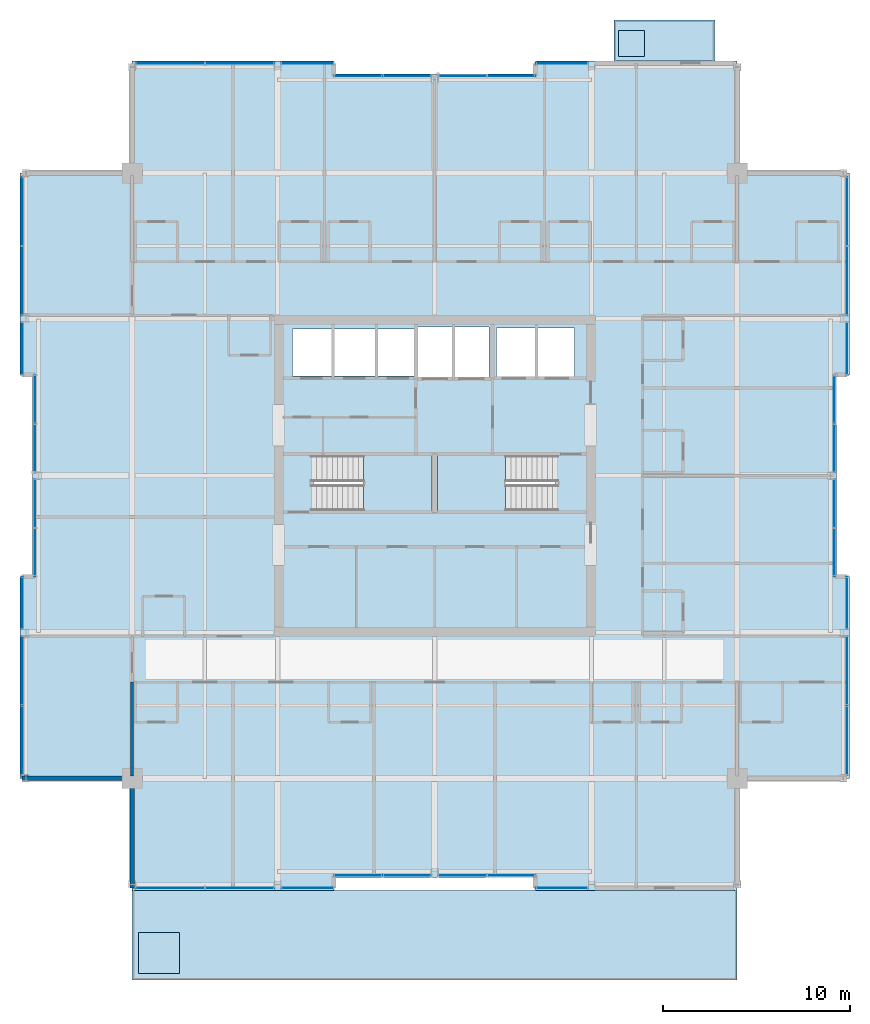
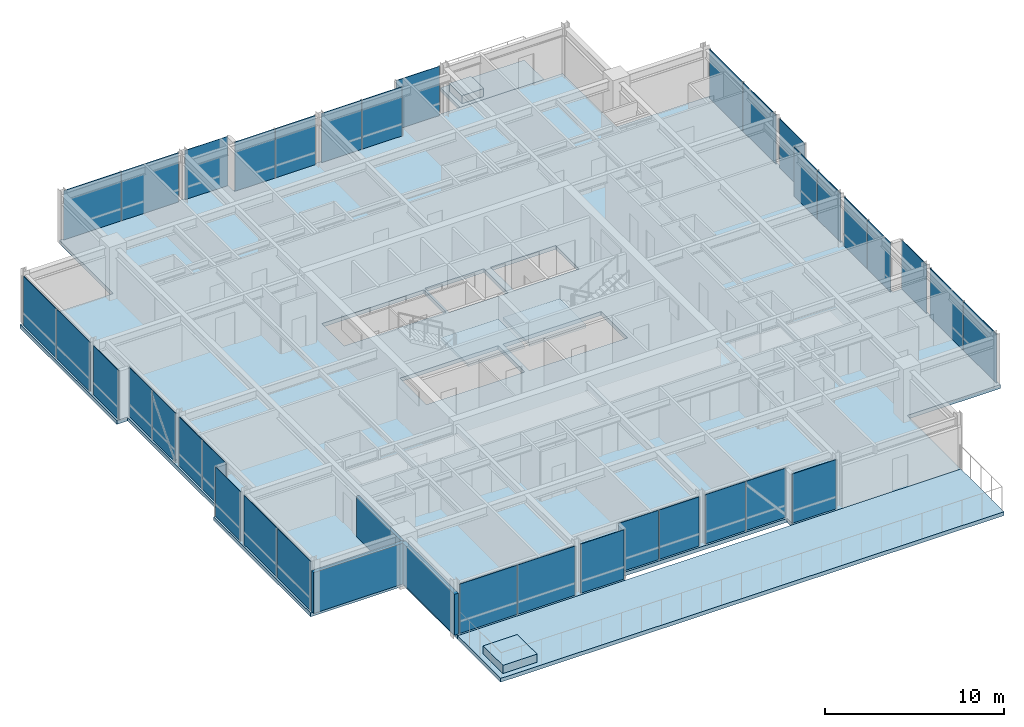
# One storey, part 24 of 32: 36 plates, 7 slabs, 3 walls, 24 elements without a shape of their own.
"""IFC4 building model written with IfcOpenShell, lengths in metres."""

from ifc_helpers import new_model, si_unit, direction, frame, frame_2d, origin, origin_2d, place, context, subcontext, project, spatial, polyline, rectangle, outline, extrude, material, layer, layer_set, type_object, element, aggregate, save


model = new_model("IFC4")

# Units and contexts
model_context = context("Model", 3, precision=1e-05, world=origin(), true_north=direction((0.0, 1.0)))
body_context = subcontext(model_context, "Body", "Model", "MODEL_VIEW")
ifc_project = project(units=[si_unit("LENGTHUNIT", "METRE"), si_unit("AREAUNIT", "SQUARE_METRE"), si_unit("VOLUMEUNIT", "CUBIC_METRE"), si_unit("PLANEANGLEUNIT", "RADIAN"), si_unit("MASSUNIT", "GRAM", prefix="KILO")], contexts=[model_context])

# Site, building, storey
site_placement = place(None, origin())
site = spatial("IfcSite", under=ifc_project, at=site_placement, CompositionType="ELEMENT")
building_placement = place(site_placement, origin())
building = spatial("IfcBuilding", under=site, at=building_placement, Name="Drelvath Grand Hotel", CompositionType="ELEMENT")
storey_placement = place(building_placement, frame((0.0, 0.0, 265.0)))
storey = spatial("IfcBuildingStorey", under=building, at=storey_placement, Name="L69", CompositionType="ELEMENT", Elevation=265.0)

# Slabs
ifc_material_1 = material(Name="Concrete f'c 40 MPa", Category="concrete")
ifc_layer_1 = layer(ifc_material_1, 0.239990234375)
ifc_layer_set_1 = layer_set([ifc_layer_1], Name="Concrete f'c 40 MPa")
slab_type_1 = type_object("IfcSlabType", Name="Cantilevered Tree Balcony Slab 240", PredefinedType="FLOOR", material=ifc_layer_set_1)
slab_1_placement = place(storey_placement, frame((0.0, 0.0, -0.239990234375)))
element("IfcSlab", 1, at=slab_1_placement, inside=storey, type_object=slab_type_1, Name="L69 Cantilevered Tree Balcony Slab 1", PredefinedType="FLOOR", context=body_context, shape_type="SweptSolid", body=[
    extrude(outline(polyline([(9.60009765625, 49.199951171875), (15.0, 49.199951171875), (15.0, 51.39990234375), (9.60009765625, 51.39990234375), (9.60009765625, 49.199951171875)])), origin(), (0.0, 0.0, 1.0), 0.239990234375),
])
ifc_layer_2 = layer(ifc_material_1, 0.260009765625)
ifc_layer_set_2 = layer_set([ifc_layer_2], Name="Concrete f'c 40 MPa")
slab_type_2 = type_object("IfcSlabType", Name="Composite RC Floor Slab 260", PredefinedType="FLOOR", material=ifc_layer_set_2)
slab_2_placement = place(storey_placement, frame((0.0, 0.0, -0.260009765625)))
element("IfcSlab", 2, at=slab_2_placement, inside=storey, type_object=slab_type_2, Name="L69 Structural Floor Slab", PredefinedType="FLOOR", context=body_context, shape_type="SweptSolid", body=[
    extrude(outline(polyline([(-16.199951171875, 4.800048828125), (-5.39990234375, 4.800048828125), (-5.39990234375, 5.47998046875), (5.39990234375, 5.47998046875), (5.39990234375, 4.800048828125), (16.199951171875, 4.800048828125), (16.199951171875, 10.800048828125), (22.199951171875, 10.800048828125), (22.199951171875, 21.60009765625), (21.52001953125, 21.60009765625), (21.52001953125, 32.39990234375), (22.199951171875, 32.39990234375), (22.199951171875, 43.199951171875), (16.199951171875, 43.199951171875), (16.199951171875, 49.199951171875), (5.39990234375, 49.199951171875), (5.39990234375, 48.52001953125), (-5.39990234375, 48.52001953125), (-5.39990234375, 49.199951171875), (-16.199951171875, 49.199951171875), (-16.199951171875, 43.199951171875), (-22.199951171875, 43.199951171875), (-22.199951171875, 32.39990234375), (-21.52001953125, 32.39990234375), (-21.52001953125, 21.60009765625), (-22.199951171875, 21.60009765625), (-22.199951171875, 10.800048828125), (-16.199951171875, 10.800048828125), (-16.199951171875, 4.800048828125)]), holes=[polyline([(-6.47998046875, 25.1201171875), (-6.47998046875, 28.080078125), (-0.14990234375, 28.080078125), (-0.14990234375, 25.1201171875), (-6.47998046875, 25.1201171875)]), polyline([(0.14990234375, 25.1201171875), (0.14990234375, 28.080078125), (6.47998046875, 28.080078125), (6.47998046875, 25.1201171875), (0.14990234375, 25.1201171875)]), polyline([(-7.60009765625, 32.35009765625), (-7.60009765625, 34.85009765625), (-1.02001953125, 34.85009765625), (-1.02001953125, 32.35009765625), (-7.60009765625, 32.35009765625)]), polyline([(-0.89990234375, 32.25), (-0.89990234375, 34.949951171875), (2.89990234375, 34.949951171875), (2.89990234375, 32.25), (-0.89990234375, 32.25)]), polyline([(3.300048828125, 32.300048828125), (3.300048828125, 34.89990234375), (7.5, 34.89990234375), (7.5, 32.300048828125), (3.300048828125, 32.300048828125)])]), origin(), (0.0, 0.0, 1.0), 0.260009765625),
])

# Stair, slab
ifc_material_2 = material(Name="Concrete C40/50", Category="concrete")
stair_type = type_object("IfcStairType", Name="Dogleg Exit Stair W1400-R165.9", PredefinedType="HALF_TURN_STAIR", material=ifc_material_2)
stair_1_placement = place(storey_placement, origin())
stair_1 = element("IfcStair", 3, at=stair_1_placement, inside=storey, type_object=stair_type, Name="L69 Core Exit Stair ST-1", PredefinedType="HALF_TURN_STAIR")
ifc_layer_3 = layer(ifc_material_2, 0.199951171875)
ifc_layer_set_3 = layer_set([ifc_layer_3], Name="Concrete C40/50")
slab_type_3 = type_object("IfcSlabType", Name="Concrete Stair Landing Slab 200", PredefinedType="LANDING", material=ifc_layer_set_3)
slab_3_placement = place(storey_placement, frame((0.0, 0.0, 1.625)))
slab_3 = element("IfcSlab", 4, at=slab_3_placement, type_object=slab_type_3, Name="ST-1 landing 1", PredefinedType="LANDING", context=body_context, shape_type="SweptSolid", body=[
    extrude(outline(polyline([(-3.800048828125, 25.1201171875), (-0.14990234375, 25.1201171875), (-0.14990234375, 28.080078125), (-3.800048828125, 28.080078125), (-3.800048828125, 25.1201171875)])), origin(), (0.0, 0.0, 1.0), 0.199951171875),
])
aggregate(stair_1, [slab_3])

stair_2_placement = place(storey_placement, origin())
stair_2 = element("IfcStair", 5, at=stair_2_placement, inside=storey, type_object=stair_type, Name="L69 Core Exit Stair ST-2", PredefinedType="HALF_TURN_STAIR")
slab_4_placement = place(storey_placement, frame((0.0, 0.0, 1.625)))
slab_4 = element("IfcSlab", 6, at=slab_4_placement, type_object=slab_type_3, Name="ST-2 landing 1", PredefinedType="LANDING", context=body_context, shape_type="SweptSolid", body=[
    extrude(outline(polyline([(3.800048828125, 28.080078125), (0.14990234375, 28.080078125), (0.14990234375, 25.1201171875), (3.800048828125, 25.1201171875), (3.800048828125, 28.080078125)])), origin(), (0.0, 0.0, 1.0), 0.199951171875),
])
aggregate(stair_2, [slab_4])

# Curtain wall, plates
ifc_material_3 = material(Name="Platinum-Mist Anodised Aluminium Frame", Category="aluminium")
ifc_layer_4 = layer(ifc_material_3, 0.199951171875)
ifc_layer_set_4 = layer_set([ifc_layer_4], Name="Platinum-Mist Anodised Aluminium Frame")
curtain_wall_type = type_object("IfcCurtainWallType", Name="Stick Curtain Wall CW-05 Platinum Mist High-Rise", PredefinedType="NOTDEFINED", material=ifc_layer_set_4)
curtain_wall_1_placement = place(storey_placement, origin())
curtain_wall_1 = element("IfcCurtainWall", 7, at=curtain_wall_1_placement, inside=storey, type_object=curtain_wall_type, Name="L69 CW-05 Curtain Wall CW05-L69-WS1", PredefinedType="NOTDEFINED")
ifc_material_4 = material(Name="Low-E Triple Silver High-Altitude Glass", Category="glass")
ifc_layer_5 = layer(ifc_material_4, 0.035888671875)
ifc_layer_set_5 = layer_set([ifc_layer_5], Name="Low-E Triple Silver High-Altitude Glass")
plate_type = type_object("IfcPlateType", Name="Curtain Wall Vision Panel CW-05 36mm", PredefinedType="CURTAIN_PANEL", material=ifc_layer_set_5)
plate_1_placement = place(storey_placement, frame((-22.080078125, 12.839111328125, 0.02001953125), z_axis=(0.0, 0.0, 1.0), x_axis=(0.0, 1.0, 0.0)))
plate_1 = element("IfcPlate", 8, at=plate_1_placement, type_object=plate_type, Name="CW05-L69-WS1 Glazed Panel 1", PredefinedType="CURTAIN_PANEL", context=body_context, shape_type="SweptSolid", body=[
    extrude(rectangle(XDim=3.681884765625, YDim=0.035888671875, at=origin_2d()), origin(), (0.0, 0.0, 1.0), 3.35009765625),
])
plate_2_placement = place(storey_placement, frame((-22.080078125, 16.560791015625, 0.02001953125), z_axis=(0.0, 0.0, 1.0), x_axis=(0.0, 1.0, 0.0)))
plate_2 = element("IfcPlate", 9, at=plate_2_placement, type_object=plate_type, Name="CW05-L69-WS1 Glazed Panel 2", PredefinedType="CURTAIN_PANEL", context=body_context, shape_type="SweptSolid", body=[
    extrude(rectangle(XDim=3.681884765625, YDim=0.035888671875, at=origin_2d()), origin(), (0.0, 0.0, 1.0), 3.35009765625),
])
aggregate(curtain_wall_1, [plate_1, plate_2])

# Curtain wall, plate
curtain_wall_2_placement = place(storey_placement, origin())
curtain_wall_2 = element("IfcCurtainWall", 10, at=curtain_wall_2_placement, inside=storey, type_object=curtain_wall_type, Name="L69 CW-05 Curtain Wall CW05-L69-WS2", PredefinedType="NOTDEFINED")
plate_3_placement = place(storey_placement, frame((-22.080078125, 20.189208984375, 0.02001953125), z_axis=(0.0, 0.0, 1.0), x_axis=(0.0, 1.0, 0.0)))
plate_3 = element("IfcPlate", 11, at=plate_3_placement, type_object=plate_type, Name="CW05-L69-WS2 Glazed Panel 1", PredefinedType="CURTAIN_PANEL", context=body_context, shape_type="SweptSolid", body=[
    extrude(rectangle(XDim=2.78173828125, YDim=0.035888671875, at=origin_2d()), origin(), (0.0, 0.0, 1.0), 3.35009765625),
])
aggregate(curtain_wall_2, [plate_3])

# Curtain wall, plates
curtain_wall_3_placement = place(storey_placement, origin())
curtain_wall_3 = element("IfcCurtainWall", 12, at=curtain_wall_3_placement, inside=storey, type_object=curtain_wall_type, Name="L69 CW-05 Curtain Wall CW05-L69-WM1", PredefinedType="NOTDEFINED")
plate_4_placement = place(storey_placement, frame((-21.39990234375, 22.905517578125, 0.02001953125), z_axis=(0.0, 0.0, 1.0), x_axis=(0.0, 1.0, 0.0)))
plate_4 = element("IfcPlate", 13, at=plate_4_placement, type_object=plate_type, Name="CW05-L69-WM1 Glazed Panel 1", PredefinedType="CURTAIN_PANEL", context=body_context, shape_type="SweptSolid", body=[
    extrude(rectangle(XDim=2.57080078125, YDim=0.035888671875, at=origin_2d()), origin(), (0.0, 0.0, 1.0), 3.35009765625),
])
plate_5_placement = place(storey_placement, frame((-21.39990234375, 25.516357421875, 0.02001953125), z_axis=(0.0, 0.0, 1.0), x_axis=(0.0, 1.0, 0.0)))
plate_5 = element("IfcPlate", 14, at=plate_5_placement, type_object=plate_type, Name="CW05-L69-WM1 Glazed Panel 2", PredefinedType="CURTAIN_PANEL", context=body_context, shape_type="SweptSolid", body=[
    extrude(rectangle(XDim=2.57080078125, YDim=0.035888671875, at=origin_2d()), origin(), (0.0, 0.0, 1.0), 3.35009765625),
])
aggregate(curtain_wall_3, [plate_4, plate_5])

curtain_wall_4_placement = place(storey_placement, origin())
curtain_wall_4 = element("IfcCurtainWall", 15, at=curtain_wall_4_placement, inside=storey, type_object=curtain_wall_type, Name="L69 CW-05 Curtain Wall CW05-L69-WM2", PredefinedType="NOTDEFINED")
plate_6_placement = place(storey_placement, frame((-21.39990234375, 28.483642578125, 0.02001953125), z_axis=(0.0, 0.0, 1.0), x_axis=(0.0, 1.0, 0.0)))
plate_6 = element("IfcPlate", 16, at=plate_6_placement, type_object=plate_type, Name="CW05-L69-WM2 Glazed Panel 1", PredefinedType="CURTAIN_PANEL", context=body_context, shape_type="SweptSolid", body=[
    extrude(rectangle(XDim=2.57080078125, YDim=0.035888671875, at=origin_2d()), origin(), (0.0, 0.0, 1.0), 3.35009765625),
])
plate_7_placement = place(storey_placement, frame((-21.39990234375, 31.094482421875, 0.02001953125), z_axis=(0.0, 0.0, 1.0), x_axis=(0.0, 1.0, 0.0)))
plate_7 = element("IfcPlate", 17, at=plate_7_placement, type_object=plate_type, Name="CW05-L69-WM2 Glazed Panel 2", PredefinedType="CURTAIN_PANEL", context=body_context, shape_type="SweptSolid", body=[
    extrude(rectangle(XDim=2.57080078125, YDim=0.035888671875, at=origin_2d()), origin(), (0.0, 0.0, 1.0), 3.35009765625),
])
aggregate(curtain_wall_4, [plate_6, plate_7])

# Curtain wall, plate
curtain_wall_5_placement = place(storey_placement, origin())
curtain_wall_5 = element("IfcCurtainWall", 18, at=curtain_wall_5_placement, inside=storey, type_object=curtain_wall_type, Name="L69 CW-05 Curtain Wall CW05-L69-WN1", PredefinedType="NOTDEFINED")
plate_8_placement = place(storey_placement, frame((-22.080078125, 33.810791015625, 0.02001953125), z_axis=(0.0, 0.0, 1.0), x_axis=(0.0, 1.0, 0.0)))
plate_8 = element("IfcPlate", 19, at=plate_8_placement, type_object=plate_type, Name="CW05-L69-WN1 Glazed Panel 1", PredefinedType="CURTAIN_PANEL", context=body_context, shape_type="SweptSolid", body=[
    extrude(rectangle(XDim=2.78173828125, YDim=0.035888671875, at=origin_2d()), origin(), (0.0, 0.0, 1.0), 3.35009765625),
])
aggregate(curtain_wall_5, [plate_8])

# Curtain wall, plates
curtain_wall_6_placement = place(storey_placement, origin())
curtain_wall_6 = element("IfcCurtainWall", 20, at=curtain_wall_6_placement, inside=storey, type_object=curtain_wall_type, Name="L69 CW-05 Curtain Wall CW05-L69-WN2", PredefinedType="NOTDEFINED")
plate_9_placement = place(storey_placement, frame((-22.080078125, 37.439208984375, 0.02001953125), z_axis=(0.0, 0.0, 1.0), x_axis=(0.0, 1.0, 0.0)))
plate_9 = element("IfcPlate", 21, at=plate_9_placement, type_object=plate_type, Name="CW05-L69-WN2 Glazed Panel 1", PredefinedType="CURTAIN_PANEL", context=body_context, shape_type="SweptSolid", body=[
    extrude(rectangle(XDim=3.681884765625, YDim=0.035888671875, at=origin_2d()), origin(), (0.0, 0.0, 1.0), 3.35009765625),
])
plate_10_placement = place(storey_placement, frame((-22.080078125, 41.160888671875, 0.02001953125), z_axis=(0.0, 0.0, 1.0), x_axis=(0.0, 1.0, 0.0)))
plate_10 = element("IfcPlate", 22, at=plate_10_placement, type_object=plate_type, Name="CW05-L69-WN2 Glazed Panel 2", PredefinedType="CURTAIN_PANEL", context=body_context, shape_type="SweptSolid", body=[
    extrude(rectangle(XDim=3.681884765625, YDim=0.035888671875, at=origin_2d()), origin(), (0.0, 0.0, 1.0), 3.35009765625),
])
aggregate(curtain_wall_6, [plate_9, plate_10])

# Curtain wall, plate
curtain_wall_7_placement = place(storey_placement, origin())
curtain_wall_7 = element("IfcCurtainWall", 23, at=curtain_wall_7_placement, inside=storey, type_object=curtain_wall_type, Name="L69 CW-05 Curtain Wall CW05-L69-EN1", PredefinedType="NOTDEFINED")
plate_11_placement = place(storey_placement, frame((22.080078125, 33.810791015625, 0.02001953125), z_axis=(0.0, 0.0, 1.0), x_axis=(0.0, -1.0, 0.0)))
plate_11 = element("IfcPlate", 24, at=plate_11_placement, type_object=plate_type, Name="CW05-L69-EN1 Glazed Panel 1", PredefinedType="CURTAIN_PANEL", context=body_context, shape_type="SweptSolid", body=[
    extrude(rectangle(XDim=2.78173828125, YDim=0.035888671875, at=origin_2d()), origin(), (0.0, 0.0, 1.0), 3.35009765625),
])
aggregate(curtain_wall_7, [plate_11])

# Curtain wall, plates
curtain_wall_8_placement = place(storey_placement, origin())
curtain_wall_8 = element("IfcCurtainWall", 25, at=curtain_wall_8_placement, inside=storey, type_object=curtain_wall_type, Name="L69 CW-05 Curtain Wall CW05-L69-EN2", PredefinedType="NOTDEFINED")
plate_12_placement = place(storey_placement, frame((22.080078125, 41.160888671875, 0.02001953125), z_axis=(0.0, 0.0, 1.0), x_axis=(0.0, -1.0, 0.0)))
plate_12 = element("IfcPlate", 26, at=plate_12_placement, type_object=plate_type, Name="CW05-L69-EN2 Glazed Panel 1", PredefinedType="CURTAIN_PANEL", context=body_context, shape_type="SweptSolid", body=[
    extrude(rectangle(XDim=3.681884765625, YDim=0.035888671875, at=origin_2d()), origin(), (0.0, 0.0, 1.0), 3.35009765625),
])
plate_13_placement = place(storey_placement, frame((22.080078125, 37.439208984375, 0.02001953125), z_axis=(0.0, 0.0, 1.0), x_axis=(0.0, -1.0, 0.0)))
plate_13 = element("IfcPlate", 27, at=plate_13_placement, type_object=plate_type, Name="CW05-L69-EN2 Glazed Panel 2", PredefinedType="CURTAIN_PANEL", context=body_context, shape_type="SweptSolid", body=[
    extrude(rectangle(XDim=3.681884765625, YDim=0.035888671875, at=origin_2d()), origin(), (0.0, 0.0, 1.0), 3.35009765625),
])
aggregate(curtain_wall_8, [plate_12, plate_13])

curtain_wall_9_placement = place(storey_placement, origin())
curtain_wall_9 = element("IfcCurtainWall", 28, at=curtain_wall_9_placement, inside=storey, type_object=curtain_wall_type, Name="L69 CW-05 Curtain Wall CW05-L69-EM1", PredefinedType="NOTDEFINED")
plate_14_placement = place(storey_placement, frame((21.39990234375, 25.516357421875, 0.02001953125), z_axis=(0.0, 0.0, 1.0), x_axis=(0.0, -1.0, 0.0)))
plate_14 = element("IfcPlate", 29, at=plate_14_placement, type_object=plate_type, Name="CW05-L69-EM1 Glazed Panel 1", PredefinedType="CURTAIN_PANEL", context=body_context, shape_type="SweptSolid", body=[
    extrude(rectangle(XDim=2.57080078125, YDim=0.035888671875, at=origin_2d()), origin(), (0.0, 0.0, 1.0), 3.35009765625),
])
plate_15_placement = place(storey_placement, frame((21.39990234375, 22.905517578125, 0.02001953125), z_axis=(0.0, 0.0, 1.0), x_axis=(0.0, -1.0, 0.0)))
plate_15 = element("IfcPlate", 30, at=plate_15_placement, type_object=plate_type, Name="CW05-L69-EM1 Glazed Panel 2", PredefinedType="CURTAIN_PANEL", context=body_context, shape_type="SweptSolid", body=[
    extrude(rectangle(XDim=2.57080078125, YDim=0.035888671875, at=origin_2d()), origin(), (0.0, 0.0, 1.0), 3.35009765625),
])
aggregate(curtain_wall_9, [plate_14, plate_15])

curtain_wall_10_placement = place(storey_placement, origin())
curtain_wall_10 = element("IfcCurtainWall", 31, at=curtain_wall_10_placement, inside=storey, type_object=curtain_wall_type, Name="L69 CW-05 Curtain Wall CW05-L69-EM2", PredefinedType="NOTDEFINED")
plate_16_placement = place(storey_placement, frame((21.39990234375, 31.094482421875, 0.02001953125), z_axis=(0.0, 0.0, 1.0), x_axis=(0.0, -1.0, 0.0)))
plate_16 = element("IfcPlate", 32, at=plate_16_placement, type_object=plate_type, Name="CW05-L69-EM2 Glazed Panel 1", PredefinedType="CURTAIN_PANEL", context=body_context, shape_type="SweptSolid", body=[
    extrude(rectangle(XDim=2.57080078125, YDim=0.035888671875, at=origin_2d()), origin(), (0.0, 0.0, 1.0), 3.35009765625),
])
plate_17_placement = place(storey_placement, frame((21.39990234375, 28.483642578125, 0.02001953125), z_axis=(0.0, 0.0, 1.0), x_axis=(0.0, -1.0, 0.0)))
plate_17 = element("IfcPlate", 33, at=plate_17_placement, type_object=plate_type, Name="CW05-L69-EM2 Glazed Panel 2", PredefinedType="CURTAIN_PANEL", context=body_context, shape_type="SweptSolid", body=[
    extrude(rectangle(XDim=2.57080078125, YDim=0.035888671875, at=origin_2d()), origin(), (0.0, 0.0, 1.0), 3.35009765625),
])
aggregate(curtain_wall_10, [plate_16, plate_17])

curtain_wall_11_placement = place(storey_placement, origin())
curtain_wall_11 = element("IfcCurtainWall", 34, at=curtain_wall_11_placement, inside=storey, type_object=curtain_wall_type, Name="L69 CW-05 Curtain Wall CW05-L69-ES1", PredefinedType="NOTDEFINED")
plate_18_placement = place(storey_placement, frame((22.080078125, 16.560791015625, 0.02001953125), z_axis=(0.0, 0.0, 1.0), x_axis=(0.0, -1.0, 0.0)))
plate_18 = element("IfcPlate", 35, at=plate_18_placement, type_object=plate_type, Name="CW05-L69-ES1 Glazed Panel 1", PredefinedType="CURTAIN_PANEL", context=body_context, shape_type="SweptSolid", body=[
    extrude(rectangle(XDim=3.681884765625, YDim=0.035888671875, at=origin_2d()), origin(), (0.0, 0.0, 1.0), 3.35009765625),
])
plate_19_placement = place(storey_placement, frame((22.080078125, 12.839111328125, 0.02001953125), z_axis=(0.0, 0.0, 1.0), x_axis=(0.0, -1.0, 0.0)))
plate_19 = element("IfcPlate", 36, at=plate_19_placement, type_object=plate_type, Name="CW05-L69-ES1 Glazed Panel 2", PredefinedType="CURTAIN_PANEL", context=body_context, shape_type="SweptSolid", body=[
    extrude(rectangle(XDim=3.681884765625, YDim=0.035888671875, at=origin_2d()), origin(), (0.0, 0.0, 1.0), 3.35009765625),
])
aggregate(curtain_wall_11, [plate_18, plate_19])

# Curtain wall, plate
curtain_wall_12_placement = place(storey_placement, origin())
curtain_wall_12 = element("IfcCurtainWall", 37, at=curtain_wall_12_placement, inside=storey, type_object=curtain_wall_type, Name="L69 CW-05 Curtain Wall CW05-L69-ES2", PredefinedType="NOTDEFINED")
plate_20_placement = place(storey_placement, frame((22.080078125, 20.189208984375, 0.02001953125), z_axis=(0.0, 0.0, 1.0), x_axis=(0.0, -1.0, 0.0)))
plate_20 = element("IfcPlate", 38, at=plate_20_placement, type_object=plate_type, Name="CW05-L69-ES2 Glazed Panel 1", PredefinedType="CURTAIN_PANEL", context=body_context, shape_type="SweptSolid", body=[
    extrude(rectangle(XDim=2.78173828125, YDim=0.035888671875, at=origin_2d()), origin(), (0.0, 0.0, 1.0), 3.35009765625),
])
aggregate(curtain_wall_12, [plate_20])

# Curtain wall, plates
curtain_wall_13_placement = place(storey_placement, origin())
curtain_wall_13 = element("IfcCurtainWall", 39, at=curtain_wall_13_placement, inside=storey, type_object=curtain_wall_type, Name="L69 CW-05 Curtain Wall CW05-L69-NW1", PredefinedType="NOTDEFINED")
plate_21_placement = place(storey_placement, frame((-14.160888671875, 49.080078125, 0.02001953125), z_axis=(0.0, 0.0, 1.0), x_axis=(1.0, 0.0, 0.0)))
plate_21 = element("IfcPlate", 40, at=plate_21_placement, type_object=plate_type, Name="CW05-L69-NW1 Glazed Panel 1", PredefinedType="CURTAIN_PANEL", context=body_context, shape_type="SweptSolid", body=[
    extrude(rectangle(XDim=3.681884765625, YDim=0.035888671875, at=origin_2d()), origin(), (0.0, 0.0, 1.0), 3.35009765625),
])
plate_22_placement = place(storey_placement, frame((-10.439208984375, 49.080078125, 0.02001953125), z_axis=(0.0, 0.0, 1.0), x_axis=(1.0, 0.0, 0.0)))
plate_22 = element("IfcPlate", 41, at=plate_22_placement, type_object=plate_type, Name="CW05-L69-NW1 Glazed Panel 2", PredefinedType="CURTAIN_PANEL", context=body_context, shape_type="SweptSolid", body=[
    extrude(rectangle(XDim=3.681884765625, YDim=0.035888671875, at=origin_2d()), origin(), (0.0, 0.0, 1.0), 3.35009765625),
])
aggregate(curtain_wall_13, [plate_21, plate_22])

# Curtain wall, plate
curtain_wall_14_placement = place(storey_placement, origin())
curtain_wall_14 = element("IfcCurtainWall", 42, at=curtain_wall_14_placement, inside=storey, type_object=curtain_wall_type, Name="L69 CW-05 Curtain Wall CW05-L69-NW2", PredefinedType="NOTDEFINED")
plate_23_placement = place(storey_placement, frame((-6.810791015625, 49.080078125, 0.02001953125), z_axis=(0.0, 0.0, 1.0), x_axis=(1.0, 0.0, 0.0)))
plate_23 = element("IfcPlate", 43, at=plate_23_placement, type_object=plate_type, Name="CW05-L69-NW2 Glazed Panel 1", PredefinedType="CURTAIN_PANEL", context=body_context, shape_type="SweptSolid", body=[
    extrude(rectangle(XDim=2.78173828125, YDim=0.035888671875, at=origin_2d()), origin(), (0.0, 0.0, 1.0), 3.35009765625),
])
aggregate(curtain_wall_14, [plate_23])

# Curtain wall, plates
curtain_wall_15_placement = place(storey_placement, origin())
curtain_wall_15 = element("IfcCurtainWall", 44, at=curtain_wall_15_placement, inside=storey, type_object=curtain_wall_type, Name="L69 CW-05 Curtain Wall CW05-L69-NM1", PredefinedType="NOTDEFINED")
plate_24_placement = place(storey_placement, frame((-4.094482421875, 48.39990234375, 0.02001953125), z_axis=(0.0, 0.0, 1.0), x_axis=(1.0, 0.0, 0.0)))
plate_24 = element("IfcPlate", 45, at=plate_24_placement, type_object=plate_type, Name="CW05-L69-NM1 Glazed Panel 1", PredefinedType="CURTAIN_PANEL", context=body_context, shape_type="SweptSolid", body=[
    extrude(rectangle(XDim=2.57080078125, YDim=0.035888671875, at=origin_2d()), origin(), (0.0, 0.0, 1.0), 3.35009765625),
])
plate_25_placement = place(storey_placement, frame((-1.483642578125, 48.39990234375, 0.02001953125), z_axis=(0.0, 0.0, 1.0), x_axis=(1.0, 0.0, 0.0)))
plate_25 = element("IfcPlate", 46, at=plate_25_placement, type_object=plate_type, Name="CW05-L69-NM1 Glazed Panel 2", PredefinedType="CURTAIN_PANEL", context=body_context, shape_type="SweptSolid", body=[
    extrude(rectangle(XDim=2.57080078125, YDim=0.035888671875, at=origin_2d()), origin(), (0.0, 0.0, 1.0), 3.35009765625),
])
aggregate(curtain_wall_15, [plate_24, plate_25])

curtain_wall_16_placement = place(storey_placement, origin())
curtain_wall_16 = element("IfcCurtainWall", 47, at=curtain_wall_16_placement, inside=storey, type_object=curtain_wall_type, Name="L69 CW-05 Curtain Wall CW05-L69-NM2", PredefinedType="NOTDEFINED")
plate_26_placement = place(storey_placement, frame((1.483642578125, 48.39990234375, 0.02001953125), z_axis=(0.0, 0.0, 1.0), x_axis=(1.0, 0.0, 0.0)))
plate_26 = element("IfcPlate", 48, at=plate_26_placement, type_object=plate_type, Name="CW05-L69-NM2 Glazed Panel 1", PredefinedType="CURTAIN_PANEL", context=body_context, shape_type="SweptSolid", body=[
    extrude(rectangle(XDim=2.57080078125, YDim=0.035888671875, at=origin_2d()), origin(), (0.0, 0.0, 1.0), 3.35009765625),
])
plate_27_placement = place(storey_placement, frame((4.094482421875, 48.39990234375, 0.02001953125), z_axis=(0.0, 0.0, 1.0), x_axis=(1.0, 0.0, 0.0)))
plate_27 = element("IfcPlate", 49, at=plate_27_placement, type_object=plate_type, Name="CW05-L69-NM2 Glazed Panel 2", PredefinedType="CURTAIN_PANEL", context=body_context, shape_type="SweptSolid", body=[
    extrude(rectangle(XDim=2.57080078125, YDim=0.035888671875, at=origin_2d()), origin(), (0.0, 0.0, 1.0), 3.35009765625),
])
aggregate(curtain_wall_16, [plate_26, plate_27])

# Curtain wall, plate
curtain_wall_17_placement = place(storey_placement, origin())
curtain_wall_17 = element("IfcCurtainWall", 50, at=curtain_wall_17_placement, inside=storey, type_object=curtain_wall_type, Name="L69 CW-05 Curtain Wall CW05-L69-NE1", PredefinedType="NOTDEFINED")
plate_28_placement = place(storey_placement, frame((6.810791015625, 49.080078125, 0.02001953125), z_axis=(0.0, 0.0, 1.0), x_axis=(1.0, 0.0, 0.0)))
plate_28 = element("IfcPlate", 51, at=plate_28_placement, type_object=plate_type, Name="CW05-L69-NE1 Glazed Panel 1", PredefinedType="CURTAIN_PANEL", context=body_context, shape_type="SweptSolid", body=[
    extrude(rectangle(XDim=2.78173828125, YDim=0.035888671875, at=origin_2d()), origin(), (0.0, 0.0, 1.0), 3.35009765625),
])
aggregate(curtain_wall_17, [plate_28])

curtain_wall_18_placement = place(storey_placement, origin())
curtain_wall_18 = element("IfcCurtainWall", 52, at=curtain_wall_18_placement, inside=storey, type_object=curtain_wall_type, Name="L69 CW-05 Curtain Wall CW05-L69-SE1", PredefinedType="NOTDEFINED")
plate_29_placement = place(storey_placement, frame((6.810791015625, 4.919921875, 0.02001953125), z_axis=(0.0, 0.0, 1.0), x_axis=(-1.0, 0.0, 0.0)))
plate_29 = element("IfcPlate", 53, at=plate_29_placement, type_object=plate_type, Name="CW05-L69-SE1 Glazed Panel 1", PredefinedType="CURTAIN_PANEL", context=body_context, shape_type="SweptSolid", body=[
    extrude(rectangle(XDim=2.78173828125, YDim=0.035888671875, at=origin_2d()), origin(), (0.0, 0.0, 1.0), 3.35009765625),
])
aggregate(curtain_wall_18, [plate_29])

# Curtain wall, plates
curtain_wall_19_placement = place(storey_placement, origin())
curtain_wall_19 = element("IfcCurtainWall", 54, at=curtain_wall_19_placement, inside=storey, type_object=curtain_wall_type, Name="L69 CW-05 Curtain Wall CW05-L69-SM1", PredefinedType="NOTDEFINED")
plate_30_placement = place(storey_placement, frame((-1.483642578125, 5.60009765625, 0.02001953125), z_axis=(0.0, 0.0, 1.0), x_axis=(-1.0, 0.0, 0.0)))
plate_30 = element("IfcPlate", 55, at=plate_30_placement, type_object=plate_type, Name="CW05-L69-SM1 Glazed Panel 1", PredefinedType="CURTAIN_PANEL", context=body_context, shape_type="SweptSolid", body=[
    extrude(rectangle(XDim=2.57080078125, YDim=0.035888671875, at=origin_2d()), origin(), (0.0, 0.0, 1.0), 3.35009765625),
])
plate_31_placement = place(storey_placement, frame((-4.094482421875, 5.60009765625, 0.02001953125), z_axis=(0.0, 0.0, 1.0), x_axis=(-1.0, 0.0, 0.0)))
plate_31 = element("IfcPlate", 56, at=plate_31_placement, type_object=plate_type, Name="CW05-L69-SM1 Glazed Panel 2", PredefinedType="CURTAIN_PANEL", context=body_context, shape_type="SweptSolid", body=[
    extrude(rectangle(XDim=2.57080078125, YDim=0.035888671875, at=origin_2d()), origin(), (0.0, 0.0, 1.0), 3.35009765625),
])
aggregate(curtain_wall_19, [plate_30, plate_31])

curtain_wall_20_placement = place(storey_placement, origin())
curtain_wall_20 = element("IfcCurtainWall", 57, at=curtain_wall_20_placement, inside=storey, type_object=curtain_wall_type, Name="L69 CW-05 Curtain Wall CW05-L69-SM2", PredefinedType="NOTDEFINED")
plate_32_placement = place(storey_placement, frame((4.094482421875, 5.60009765625, 0.02001953125), z_axis=(0.0, 0.0, 1.0), x_axis=(-1.0, 0.0, 0.0)))
plate_32 = element("IfcPlate", 58, at=plate_32_placement, type_object=plate_type, Name="CW05-L69-SM2 Glazed Panel 1", PredefinedType="CURTAIN_PANEL", context=body_context, shape_type="SweptSolid", body=[
    extrude(rectangle(XDim=2.57080078125, YDim=0.035888671875, at=origin_2d()), origin(), (0.0, 0.0, 1.0), 3.35009765625),
])
plate_33_placement = place(storey_placement, frame((1.483642578125, 5.60009765625, 0.02001953125), z_axis=(0.0, 0.0, 1.0), x_axis=(-1.0, 0.0, 0.0)))
plate_33 = element("IfcPlate", 59, at=plate_33_placement, type_object=plate_type, Name="CW05-L69-SM2 Glazed Panel 2", PredefinedType="CURTAIN_PANEL", context=body_context, shape_type="SweptSolid", body=[
    extrude(rectangle(XDim=2.57080078125, YDim=0.035888671875, at=origin_2d()), origin(), (0.0, 0.0, 1.0), 3.35009765625),
])
aggregate(curtain_wall_20, [plate_32, plate_33])

curtain_wall_21_placement = place(storey_placement, origin())
curtain_wall_21 = element("IfcCurtainWall", 60, at=curtain_wall_21_placement, inside=storey, type_object=curtain_wall_type, Name="L69 CW-05 Curtain Wall CW05-L69-SW1", PredefinedType="NOTDEFINED")
plate_34_placement = place(storey_placement, frame((-10.439208984375, 4.919921875, 0.02001953125), z_axis=(0.0, 0.0, 1.0), x_axis=(-1.0, 0.0, 0.0)))
plate_34 = element("IfcPlate", 61, at=plate_34_placement, type_object=plate_type, Name="CW05-L69-SW1 Glazed Panel 1", PredefinedType="CURTAIN_PANEL", context=body_context, shape_type="SweptSolid", body=[
    extrude(rectangle(XDim=3.681884765625, YDim=0.035888671875, at=origin_2d()), origin(), (0.0, 0.0, 1.0), 3.35009765625),
])
plate_35_placement = place(storey_placement, frame((-14.160888671875, 4.919921875, 0.02001953125), z_axis=(0.0, 0.0, 1.0), x_axis=(-1.0, 0.0, 0.0)))
plate_35 = element("IfcPlate", 62, at=plate_35_placement, type_object=plate_type, Name="CW05-L69-SW1 Glazed Panel 2", PredefinedType="CURTAIN_PANEL", context=body_context, shape_type="SweptSolid", body=[
    extrude(rectangle(XDim=3.681884765625, YDim=0.035888671875, at=origin_2d()), origin(), (0.0, 0.0, 1.0), 3.35009765625),
])
aggregate(curtain_wall_21, [plate_34, plate_35])

# Curtain wall, plate
curtain_wall_22_placement = place(storey_placement, origin())
curtain_wall_22 = element("IfcCurtainWall", 63, at=curtain_wall_22_placement, inside=storey, type_object=curtain_wall_type, Name="L69 CW-05 Curtain Wall CW05-L69-SW2", PredefinedType="NOTDEFINED")
plate_36_placement = place(storey_placement, frame((-6.810791015625, 4.919921875, 0.02001953125), z_axis=(0.0, 0.0, 1.0), x_axis=(-1.0, 0.0, 0.0)))
plate_36 = element("IfcPlate", 64, at=plate_36_placement, type_object=plate_type, Name="CW05-L69-SW2 Glazed Panel 1", PredefinedType="CURTAIN_PANEL", context=body_context, shape_type="SweptSolid", body=[
    extrude(rectangle(XDim=2.78173828125, YDim=0.035888671875, at=origin_2d()), origin(), (0.0, 0.0, 1.0), 3.35009765625),
])
aggregate(curtain_wall_22, [plate_36])

# Slabs
ifc_layer_6 = layer(ifc_material_1, 0.260009765625)
ifc_layer_set_6 = layer_set([ifc_layer_6], Name="Concrete f'c 40 MPa")
slab_type_4 = type_object("IfcSlabType", Name="Planted Terrace Structural Slab 260", PredefinedType="FLOOR", material=ifc_layer_set_6)
slab_5_placement = place(storey_placement, frame((0.0, 0.0, -0.260009765625)))
element("IfcSlab", 65, at=slab_5_placement, inside=storey, type_object=slab_type_4, Name="L69 Setback Roof Garden Terrace Slab 1", PredefinedType="FLOOR", context=body_context, shape_type="SweptSolid", body=[
    extrude(outline(polyline([(-16.199951171875, 0.0), (16.199951171875, 0.0), (16.199951171875, 4.800048828125), (-16.199951171875, 4.800048828125), (-16.199951171875, 0.0)])), origin(), (0.0, 0.0, 1.0), 0.260009765625),
])
ifc_layer_7 = layer(ifc_material_1, 0.550048828125)
ifc_layer_set_7 = layer_set([ifc_layer_7], Name="Concrete f'c 40 MPa")
slab_type_5 = type_object("IfcSlabType", Name="Structural Tree Planter Box 550", PredefinedType="USERDEFINED", material=ifc_layer_set_7)
slab_6_placement = place(storey_placement, origin())
element("IfcSlab", 66, at=slab_6_placement, inside=storey, type_object=slab_type_5, Name="L69 Setback Terrace Tree Planter 1", ObjectType="PLANTER", PredefinedType="USERDEFINED", context=body_context, shape_type="SweptSolid", body=[
    extrude(outline(polyline([(-15.85009765625, 0.35009765625), (-13.64990234375, 0.35009765625), (-13.64990234375, 2.550048828125), (-15.85009765625, 2.550048828125), (-15.85009765625, 0.35009765625)])), origin(), (0.0, 0.0, 1.0), 0.550048828125),
])
slab_7_placement = place(storey_placement, origin())
element("IfcSlab", 67, at=slab_7_placement, inside=storey, type_object=slab_type_5, Name="L69 Tree Balcony Structural Planter 1", ObjectType="PLANTER", PredefinedType="USERDEFINED", context=body_context, shape_type="SweptSolid", body=[
    extrude(outline(polyline([(9.85009765625, 49.449951171875), (11.25, 49.449951171875), (11.25, 50.85009765625), (9.85009765625, 50.85009765625), (9.85009765625, 49.449951171875)])), origin(), (0.0, 0.0, 1.0), 0.550048828125),
])

# Walls
ifc_material_5 = material(Name="Gypsum Acoustic Partition")
ifc_layer_8 = layer(ifc_material_5, 0.1650390625)
ifc_layer_set_8 = layer_set([ifc_layer_8], Name="Gypsum Acoustic Partition")
wall_type_1 = type_object("IfcWallType", Name="Suite Demising Wall 165", PredefinedType="PARTITIONING", material=ifc_layer_set_8)
wall_placement = place(storey_placement, frame((-16.199951171875, 10.919921875, 0.0), z_axis=(0.0, 0.0, 1.0), x_axis=(0.0, 1.0, 0.0)))
element("IfcWall", 68, at=wall_placement, inside=storey, type_object=wall_type_1, Name="L69 SW Suite Wall", PredefinedType="PARTITIONING", context=body_context, shape_type="SweptSolid", body=[
    extrude(rectangle(XDim=5.030029296875, YDim=0.1650390625, at=frame_2d((2.51513671875, 0.0))), origin(), (0.0, 0.0, 1.0), 2.763916015625),
])
ifc_material_6 = material(Name="Pale-Metal Insulated Aluminium Spandrel Assembly", Category="aluminium")
ifc_layer_9 = layer(ifc_material_6, 0.239990234375)
ifc_layer_set_9 = layer_set([ifc_layer_9], Name="Pale-Metal Insulated Aluminium Spandrel Assembly")
wall_type_2 = type_object("IfcWallType", Name="Tower Insulated Metal Spandrel Closure Wall 240", PredefinedType="STANDARD", material=ifc_layer_set_9)
for number, where, z_axis, x_axis, name in (
    (69, (-16.199951171875, 4.919921875, 0.0), (0.0, 0.0, 1.0), (0.0, 1.0, 0.0), "L69 Notched Corner Return Spandrel Wall CSW1"),
    (70, (-16.199951171875, 10.800048828125, 0.0), (0.0, 0.0, 1.0), (-1.0, 0.0, 0.0), "L69 Notched Corner Return Spandrel Wall CSW2"),
):
    element("IfcWall", number, at=place(storey_placement, frame(where, z_axis=z_axis, x_axis=x_axis)), inside=storey, type_object=wall_type_2, Name=name, PredefinedType="STANDARD", context=body_context, shape_type="SweptSolid", body=[
        extrude(rectangle(XDim=5.880126953125, YDim=0.239990234375, at=frame_2d((2.93994140625, 0.0))), origin(), (0.0, 0.0, 1.0), 2.779052734375),
    ])

save(model, "model.ifc")
